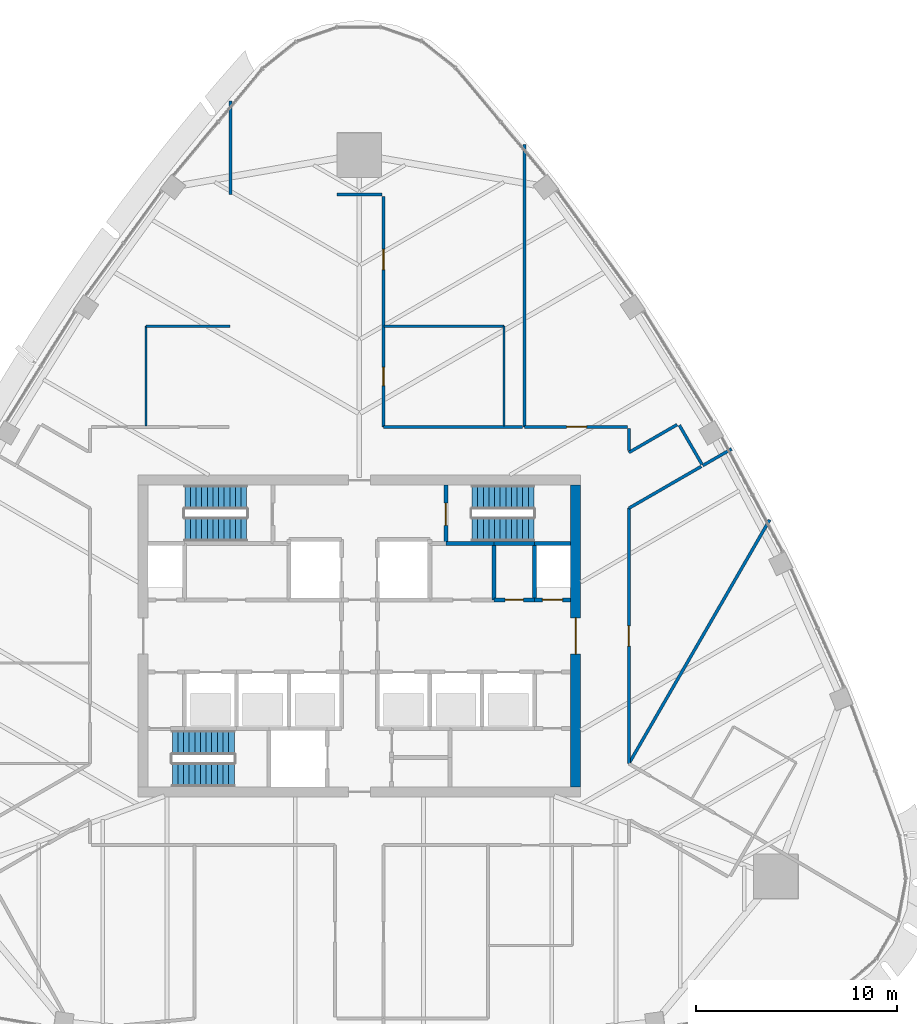
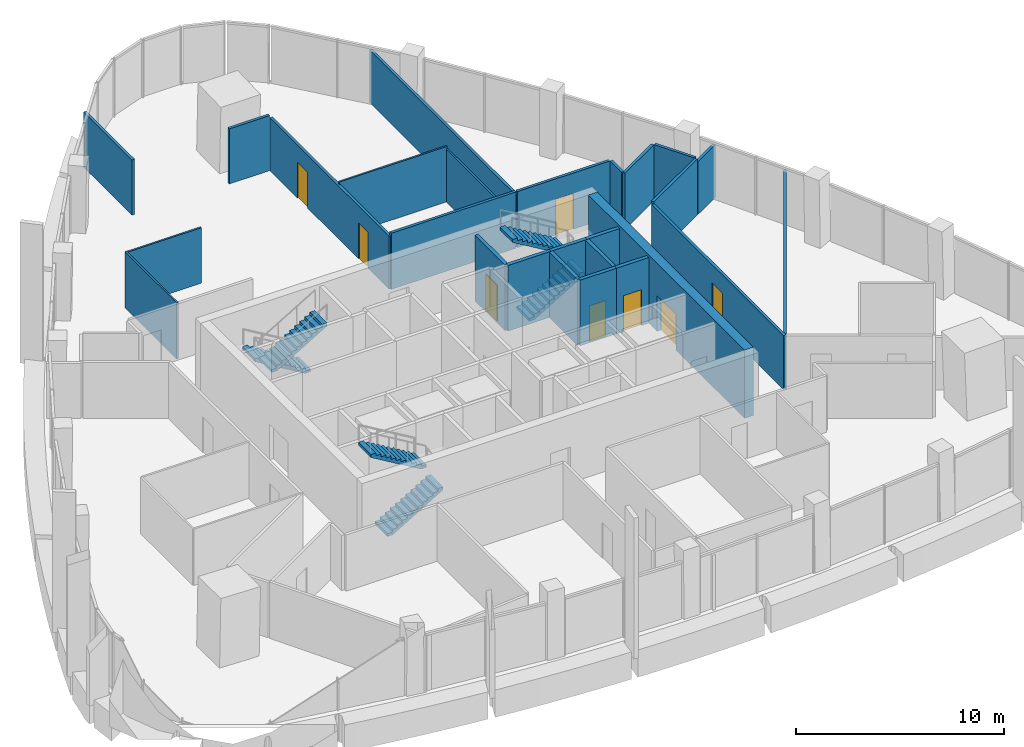
# One storey, part 11 of 18: 26 walls, 8 doors, 6 stair flights, 8 openings, 3 elements without a shape of their own.
"""IFC4 building model written with IfcOpenShell, lengths in metres."""

import ifcopenshell
import ifcopenshell.guid

model = None  # the IFC model being written
_history = None  # IfcOwnerHistory: only IFC2X3 demands one
_inside = {}  # id of a spatial element -> (the spatial element, [elements in it])
_under = {}  # id of a project, library or spatial element -> (it, [spatial elements below it])
_declared = {}  # id of a project -> (the project, [libraries it declares])
_typed = {}  # id of a type object -> (the type object, [elements of that type])
_made_of = {}  # id of a material, layer set ... -> (it, [elements and type objects made of it])


def new_model(schema):
    """Start an empty IFC model of exactly this schema.

    Asked for "IFC4X3", IfcOpenShell would pick the latest addendum, in which some entities
    have other attributes; the version numbers below select the first issue.
    IFC2X3 requires an IfcOwnerHistory on every rooted entity: one is made here for all.
    """
    global model, _history
    if schema == "IFC4X3":
        model = ifcopenshell.file(schema_version=(4, 3, 0, 0))
    else:
        model = ifcopenshell.file(schema=schema)
    _inside.clear()
    _under.clear()
    _declared.clear()
    _typed.clear()
    _made_of.clear()
    _history = None
    if model.schema == "IFC2X3":
        org = make("IfcOrganization", Name="unknown")
        user = make(
            "IfcPersonAndOrganization",
            ThePerson=make("IfcPerson", FamilyName="unknown"),
            TheOrganization=org,
        )
        app = make(
            "IfcApplication",
            ApplicationDeveloper=org,
            Version="unknown",
            ApplicationFullName="unknown",
            ApplicationIdentifier="unknown",
        )
        _history = make(
            "IfcOwnerHistory",
            OwningUser=user,
            OwningApplication=app,
            ChangeAction="ADDED",
            CreationDate=0,
        )
    return model


def make(cls, **values):
    """One entity of the class cls with the attributes given. An attribute that is None is left unset."""
    return model.create_entity(
        cls, **{name: value for name, value in values.items() if value is not None}
    )


def rooted(cls, **values):
    """An entity with a GlobalId (a new one), such as an element, a storey or a relation."""
    return make(cls, GlobalId=ifcopenshell.guid.new(), OwnerHistory=_history, **values)


def si_unit(unit_type, name, prefix=None):
    """IfcSIUnit, for example si_unit("LENGTHUNIT", "METRE", prefix="MILLI")."""
    return make("IfcSIUnit", UnitType=unit_type, Prefix=prefix, Name=name)


def assignment(units):
    """IfcUnitAssignment: the units of a project."""
    return None if units is None else make("IfcUnitAssignment", Units=units)


def point(xyz):
    """IfcCartesianPoint."""
    return None if xyz is None else make("IfcCartesianPoint", Coordinates=xyz)


def direction(xyz):
    """IfcDirection."""
    return None if xyz is None else make("IfcDirection", DirectionRatios=xyz)


def frame(location, z_axis=None, x_axis=None):
    """IfcAxis2Placement3D, a coordinate frame: its origin and axes. An axis left out is left unset."""
    return make(
        "IfcAxis2Placement3D",
        Location=point(location),
        Axis=direction(z_axis),
        RefDirection=direction(x_axis),
    )


def frame_2d(location, x_axis=None):
    """IfcAxis2Placement2D, a coordinate frame in the plane: its origin and x axis."""
    return make(
        "IfcAxis2Placement2D", Location=point(location), RefDirection=direction(x_axis)
    )


def origin():
    """The frame at (0, 0, 0) with its axes left unset."""
    return frame((0.0, 0.0, 0.0))


def place(relative_to, where):
    """IfcLocalPlacement: puts the frame where relative to a parent placement (None: the world)."""
    return make(
        "IfcLocalPlacement", PlacementRelTo=relative_to, RelativePlacement=where
    )


def context(
    kind, dimensions, precision=None, world=None, true_north=None, identifier=None
):
    """IfcGeometricRepresentationContext, for example the 3D "Model" context."""
    return make(
        "IfcGeometricRepresentationContext",
        ContextIdentifier=identifier,
        ContextType=kind,
        CoordinateSpaceDimension=dimensions,
        Precision=precision,
        WorldCoordinateSystem=world,
        TrueNorth=true_north,
    )


def subcontext(parent, identifier, kind, view, scale=None):
    """IfcGeometricRepresentationSubContext, for example "Body" below "Model"."""
    return make(
        "IfcGeometricRepresentationSubContext",
        ContextIdentifier=identifier,
        ContextType=kind,
        ParentContext=parent,
        TargetScale=scale,
        TargetView=view,
    )


def project(units=None, contexts=None):
    """IfcProject with its units and contexts."""
    return rooted(
        "IfcProject",
        Name="project",
        RepresentationContexts=contexts,
        UnitsInContext=assignment(units),
    )


def spatial(cls, under=None, at=None, **own):
    """A site, building, storey or space (cls), placed at a placement, below another one or the project."""
    s = rooted(cls, ObjectPlacement=at, **own)
    if under is not None:
        _under.setdefault(under.id(), (under, []))[1].append(s)
    return s


def polyline(points):
    """IfcPolyline through the points."""
    return make("IfcPolyline", Points=[point(p) for p in points])


def profile(cls, at=None, kind="AREA", **sizes):
    """A parametric profile (cls). Its sizes go by their IFC names, for example OverallWidth=200.0."""
    return make(cls, ProfileType=kind, Position=at, **sizes)


def rectangle(**sizes):
    """IfcRectangleProfileDef."""
    return profile("IfcRectangleProfileDef", **sizes)


def outline(outer, holes=None, kind="AREA"):
    """IfcArbitraryClosedProfileDef: a profile drawn as a closed curve; with holes, ...WithVoids."""
    if holes is None:
        return make("IfcArbitraryClosedProfileDef", ProfileType=kind, OuterCurve=outer)
    return make(
        "IfcArbitraryProfileDefWithVoids",
        ProfileType=kind,
        OuterCurve=outer,
        InnerCurves=holes,
    )


def extrude(swept, where, along, depth):
    """IfcExtrudedAreaSolid: the profile swept, set in the frame where, extruded along a direction by depth."""
    return make(
        "IfcExtrudedAreaSolid",
        SweptArea=swept,
        Position=where,
        ExtrudedDirection=direction(along),
        Depth=depth,
    )


def shape(context_of_items, identifier, shape_type, items):
    """IfcShapeRepresentation: the items that make up one representation, for example the "Body"."""
    return make(
        "IfcShapeRepresentation",
        ContextOfItems=context_of_items,
        RepresentationIdentifier=identifier,
        RepresentationType=shape_type,
        Items=items,
    )


def material(Name=None, Category=None):
    """IfcMaterial."""
    return make("IfcMaterial", Name=Name, Category=Category)


def layer(
    of_material, thickness, ventilated=None, Name=None, Category=None, Priority=None
):
    """IfcMaterialLayer: one layer of a wall or slab, of a material (None: an air gap)."""
    return make(
        "IfcMaterialLayer",
        Material=of_material,
        LayerThickness=thickness,
        IsVentilated=ventilated,
        Name=Name,
        Category=Category,
        Priority=Priority,
    )


def layer_set(layers, Name=None):
    """IfcMaterialLayerSet."""
    return make("IfcMaterialLayerSet", MaterialLayers=layers, LayerSetName=Name)


def made_of(thing, what):
    """Note that an element or type object is made of a material, layer set ...; save() writes the relation."""
    if what is not None:
        _made_of.setdefault(what.id(), (what, []))[1].append(thing)
    return thing


def type_object(cls, material=None, **own):
    """A type object (cls), such as IfcWallType, which elements share."""
    return made_of(rooted(cls, **own), material)


def element(
    cls,
    number,
    at=None,
    inside=None,
    cuts=None,
    type_object=None,
    material=None,
    context=None,
    identifier="Body",
    shape_type=None,
    held_by="IfcProductDefinitionShape",
    body=None,
    shapes=None,
    **own,
):
    """One element of the class cls, such as IfcWall. Its Tag is "e" and its number.

    at: its placement. inside: the storey or other place that contains it. cuts: it is an
    opening in that element (IfcRelVoidsElement). A single representation is given by context,
    identifier, shape_type and body (its items); several are given by shapes. held_by: the class
    of the entity that holds the representations. save() writes the other relations.
    """
    e = rooted(cls, Tag="e%d" % number, ObjectPlacement=at, **own)
    if body is not None:
        shapes = [shape(context, identifier, shape_type, body)]
    if shapes is not None:
        e.Representation = make(held_by, Representations=shapes)
    if inside is not None:
        _inside.setdefault(inside.id(), (inside, []))[1].append(e)
    if cuts is not None:
        rooted(
            "IfcRelVoidsElement", RelatingBuildingElement=cuts, RelatedOpeningElement=e
        )
    if type_object is not None:
        _typed.setdefault(type_object.id(), (type_object, []))[1].append(e)
    return made_of(e, material)


def fill(opening, filler):
    """IfcRelFillsElement: the door or window that sits in an opening."""
    return rooted(
        "IfcRelFillsElement",
        RelatingOpeningElement=opening,
        RelatedBuildingElement=filler,
    )


def aggregate(whole, parts):
    """IfcRelAggregates: a whole, such as a stair, and the parts it consists of."""
    return rooted("IfcRelAggregates", RelatingObject=whole, RelatedObjects=parts)


def save(model, path):
    """Write the relations noted so far, then the file.

    IfcRelAggregates (storeys below a building ...), IfcRelContainedInSpatialStructure (elements
    in a storey), IfcRelDefinesByType, IfcRelAssociatesMaterial and IfcRelDeclares: one each for
    every whole, place, type object, material and project.
    """
    for whole, parts in _under.values():
        aggregate(whole, parts)
    for where, things in _inside.values():
        rooted(
            "IfcRelContainedInSpatialStructure",
            RelatedElements=things,
            RelatingStructure=where,
        )
    for kind, things in _typed.values():
        rooted("IfcRelDefinesByType", RelatedObjects=things, RelatingType=kind)
    for what, things in _made_of.values():
        rooted("IfcRelAssociatesMaterial", RelatedObjects=things, RelatingMaterial=what)
    for by, libraries in _declared.values():
        rooted("IfcRelDeclares", RelatingContext=by, RelatedDefinitions=libraries)
    model.write(path)


model = new_model("IFC4")

# Units and contexts
model_context = context("Model", 3, precision=1e-05, world=origin(), true_north=direction((0.0, 1.0)))
body_context = subcontext(model_context, "Body", "Model", "MODEL_VIEW")
ifc_project = project(units=[si_unit("LENGTHUNIT", "METRE"), si_unit("AREAUNIT", "SQUARE_METRE"), si_unit("VOLUMEUNIT", "CUBIC_METRE"), si_unit("PLANEANGLEUNIT", "RADIAN"), si_unit("MASSUNIT", "GRAM", prefix="KILO")], contexts=[model_context])

# Site, building, storey
site_placement = place(None, origin())
site = spatial("IfcSite", under=ifc_project, at=site_placement, CompositionType="ELEMENT")
building_placement = place(site_placement, origin())
building = spatial("IfcBuilding", under=site, at=building_placement, Name="Sierra Prisma Convention Tower", CompositionType="ELEMENT")
storey_placement = place(building_placement, frame((0.0, 0.0, 287.0)))
storey = spatial("IfcBuildingStorey", under=building, at=storey_placement, Name="L65", CompositionType="ELEMENT", Elevation=287.0)

# Walls
ifc_material_1 = material(Name="Gypsum board partition", Category="gypsum")
ifc_layer_1 = layer(ifc_material_1, 0.10009765625)
ifc_layer_set_1 = layer_set([ifc_layer_1], Name="Bathroom partition 100")
wall_type_1 = type_object("IfcWallType", Name="Bathroom partition 100", PredefinedType="PARTITIONING", material=ifc_layer_set_1)
wall_1_placement = place(storey_placement, frame((-10.60009765625, 10.429931640625, 0.0), z_axis=(0.0, 0.0, 1.0), x_axis=(0.0, 1.0, 0.0)))
element("IfcWall", 1, at=wall_1_placement, inside=storey, type_object=wall_type_1, Name="Partition L65 bath 4", PredefinedType="PARTITIONING", context=body_context, shape_type="SweptSolid", body=[
    extrude(rectangle(XDim=4.969970703125, YDim=0.10009765625, at=frame_2d((2.48486328125, 0.0))), origin(), (0.0, 0.0, 1.0), 3.300048828125),
])
wall_2_placement = place(storey_placement, frame((-10.60009765625, 15.39990234375, 0.0), z_axis=(0.0, 0.0, 1.0), x_axis=(1.0, 0.0, 0.0)))
element("IfcWall", 2, at=wall_2_placement, inside=storey, type_object=wall_type_1, Name="Partition L65 bath 5", PredefinedType="PARTITIONING", context=body_context, shape_type="SweptSolid", body=[
    extrude(rectangle(XDim=4.170166015625, YDim=0.10009765625, at=frame_2d((2.0849609375, 0.0))), origin(), (0.0, 0.0, 1.0), 3.2470703125),
])
wall_3_placement = place(storey_placement, frame((1.22998046875, 15.39990234375, 0.0), z_axis=(0.0, 0.0, 1.0), x_axis=(1.0, 0.0, 0.0)))
element("IfcWall", 3, at=wall_3_placement, inside=storey, type_object=wall_type_1, Name="Partition L65 bath 6", PredefinedType="PARTITIONING", context=body_context, shape_type="SweptSolid", body=[
    extrude(rectangle(XDim=5.969970703125, YDim=0.10009765625, at=frame_2d((2.98486328125, 0.0))), origin(), (0.0, 0.0, 1.0), 3.242919921875),
])
wall_4_placement = place(storey_placement, frame((7.199951171875, 15.39990234375, 0.0), z_axis=(0.0, 0.0, 1.0), x_axis=(0.0, -1.0, 0.0)))
element("IfcWall", 4, at=wall_4_placement, inside=storey, type_object=wall_type_1, Name="Partition L65 bath 7", PredefinedType="PARTITIONING", context=body_context, shape_type="SweptSolid", body=[
    extrude(rectangle(XDim=4.969970703125, YDim=0.10009765625, at=frame_2d((2.48486328125, 0.0))), origin(), (0.0, 0.0, 1.0), 3.096923828125),
])
ifc_material_2 = material(Name="Concrete C30/37", Category="concrete")
ifc_layer_2 = layer(ifc_material_2, 0.199951171875)
ifc_layer_set_2 = layer_set([ifc_layer_2], Name="Core wall RC 200 C30/37")
wall_type_2 = type_object("IfcWallType", Name="Core wall RC 200 C30/37", PredefinedType="SOLIDWALL", material=ifc_layer_set_2)
wall_5_placement = place(storey_placement, frame((6.699951171875, 4.60009765625, 0.0), z_axis=(0.0, 0.0, 1.0), x_axis=(-1.0, 0.0, 0.0)))
element("IfcWall", 5, at=wall_5_placement, inside=storey, type_object=wall_type_2, Name="Core wall L65 50", PredefinedType="SOLIDWALL", context=body_context, shape_type="SweptSolid", body=[
    extrude(rectangle(XDim=2.39990234375, YDim=0.199951171875, at=frame_2d((1.199951171875, 0.0))), origin(), (0.0, 0.0, 1.0), 3.85009765625),
])

# Wall, opening, door
wall_6_placement = place(storey_placement, frame((4.300048828125, 7.5, 0.0), z_axis=(0.0, 0.0, 1.0), x_axis=(0.0, -1.0, 0.0)))
wall_6 = element("IfcWall", 6, at=wall_6_placement, inside=storey, type_object=wall_type_2, Name="Core wall L65 51", PredefinedType="SOLIDWALL", context=body_context, shape_type="SweptSolid", body=[
    extrude(rectangle(XDim=2.89990234375, YDim=0.199951171875, at=frame_2d((1.449951171875, 0.0))), origin(), (0.0, 0.0, 1.0), 3.85009765625),
])
opening_1_placement = place(wall_6_placement, frame((0.89990234375, 0.0, 0.0)))
opening_1 = element("IfcOpeningElement", 7, at=opening_1_placement, cuts=wall_6, Name="Opening L65-D019", PredefinedType="OPENING", context=body_context, shape_type="SweptSolid", body=[
    extrude(rectangle(XDim=1.10009765625, YDim=2.10009765625, at=frame_2d((0.550048828125, 1.050048828125))), frame((0.0, 0.10009765625, 0.0), z_axis=(0.0, -1.0, 0.0), x_axis=(1.0, 0.0, 0.0)), (0.0, 0.0, 1.0), 0.199951171875),
])
ifc_material_3 = material(Name="Steel fire door leaf", Category="steel")
door_type_1 = type_object("IfcDoorType", Name="Door 1100x2100 FD90S", OperationType="SINGLE_SWING_LEFT", PredefinedType="DOOR", material=ifc_material_3)
door_1_placement = place(opening_1_placement, origin())
door_1 = element("IfcDoor", 8, at=door_1_placement, inside=storey, type_object=door_type_1, Name="Door L65 34", OperationType="SINGLE_SWING_RIGHT", OverallHeight=2.10009765625, OverallWidth=1.10009765625, PredefinedType="DOOR", context=body_context, shape_type="SweptSolid", body=[
    extrude(rectangle(XDim=1.10009765625, YDim=2.10009765625, at=frame_2d((0.550048828125, 1.050048828125))), frame((0.0, 0.02490234375, 0.0), z_axis=(0.0, -1.0, 0.0), x_axis=(1.0, 0.0, 0.0)), (0.0, 0.0, 1.0), 0.050048828125),
])
fill(opening_1, door_1)

wall_7_placement = place(storey_placement, frame((6.699951171875, 1.800048828125, 0.0), z_axis=(0.0, 0.0, 1.0), x_axis=(1.0, 0.0, 0.0)))
wall_7 = element("IfcWall", 9, at=wall_7_placement, inside=storey, type_object=wall_type_2, Name="Core wall L65 58", PredefinedType="SOLIDWALL", context=body_context, shape_type="SweptSolid", body=[
    extrude(rectangle(XDim=2.0, YDim=0.199951171875, at=frame_2d((1.0, 0.0))), origin(), (0.0, 0.0, 1.0), 3.85009765625),
])
opening_2_placement = place(wall_7_placement, frame((0.550048828125, 0.0, 0.0)))
opening_2 = element("IfcOpeningElement", 10, at=opening_2_placement, cuts=wall_7, Name="Opening L65-D021", PredefinedType="OPENING", context=body_context, shape_type="SweptSolid", body=[
    extrude(rectangle(XDim=0.89990234375, YDim=2.10009765625, at=frame_2d((0.449951171875, 1.050048828125))), frame((0.0, 0.10009765625, 0.0), z_axis=(0.0, -1.0, 0.0), x_axis=(1.0, 0.0, 0.0)), (0.0, 0.0, 1.0), 0.199951171875),
])
ifc_material_4 = material(Name="Steel fire door leaf", Category="steel")
door_type_2 = type_object("IfcDoorType", Name="Door 900x2100 FD30S", OperationType="SINGLE_SWING_LEFT", PredefinedType="DOOR", material=ifc_material_4)
door_2_placement = place(opening_2_placement, origin())
door_2 = element("IfcDoor", 11, at=door_2_placement, inside=storey, type_object=door_type_2, Name="Door L65 36", OperationType="SINGLE_SWING_LEFT", OverallHeight=2.10009765625, OverallWidth=0.89990234375, PredefinedType="DOOR", context=body_context, shape_type="SweptSolid", body=[
    extrude(rectangle(XDim=0.89990234375, YDim=2.10009765625, at=frame_2d((0.449951171875, 1.050048828125))), frame((0.0, 0.02490234375, 0.0), z_axis=(0.0, -1.0, 0.0), x_axis=(1.0, 0.0, 0.0)), (0.0, 0.0, 1.0), 0.050048828125),
])
fill(opening_2, door_2)

# Walls
wall_8_placement = place(storey_placement, frame((6.699951171875, 1.800048828125, 0.0), z_axis=(0.0, 0.0, 1.0), x_axis=(0.0, 1.0, 0.0)))
element("IfcWall", 12, at=wall_8_placement, inside=storey, type_object=wall_type_2, Name="Core wall L65 59", PredefinedType="SOLIDWALL", context=body_context, shape_type="SweptSolid", body=[
    extrude(rectangle(XDim=2.800048828125, YDim=0.199951171875, at=frame_2d((1.39990234375, 0.0))), origin(), (0.0, 0.0, 1.0), 3.85009765625),
])
wall_9_placement = place(storey_placement, frame((8.699951171875, 4.60009765625, 0.0), z_axis=(0.0, 0.0, 1.0), x_axis=(-1.0, 0.0, 0.0)))
element("IfcWall", 13, at=wall_9_placement, inside=storey, type_object=wall_type_2, Name="Core wall L65 60", PredefinedType="SOLIDWALL", context=body_context, shape_type="SweptSolid", body=[
    extrude(rectangle(XDim=2.0, YDim=0.199951171875, at=frame_2d((1.0, 0.0))), origin(), (0.0, 0.0, 1.0), 3.85009765625),
])

# Wall, opening, door
wall_10_placement = place(storey_placement, frame((10.5, 1.800048828125, 0.0), z_axis=(0.0, 0.0, 1.0), x_axis=(-1.0, 0.0, 0.0)))
wall_10 = element("IfcWall", 14, at=wall_10_placement, inside=storey, type_object=wall_type_2, Name="Core wall L65 64", PredefinedType="SOLIDWALL", context=body_context, shape_type="SweptSolid", body=[
    extrude(rectangle(XDim=1.800048828125, YDim=0.199951171875, at=frame_2d((0.89990234375, 0.0))), origin(), (0.0, 0.0, 1.0), 3.85009765625),
])
opening_3_placement = place(wall_10_placement, frame((0.39990234375, 0.0, 0.0)))
opening_3 = element("IfcOpeningElement", 15, at=opening_3_placement, cuts=wall_10, Name="Opening L65-D016", PredefinedType="OPENING", context=body_context, shape_type="SweptSolid", body=[
    extrude(rectangle(XDim=1.0, YDim=2.10009765625, at=frame_2d((0.5, 1.050048828125))), frame((0.0, 0.10009765625, 0.0), z_axis=(0.0, -1.0, 0.0), x_axis=(1.0, 0.0, 0.0)), (0.0, 0.0, 1.0), 0.199951171875),
])
ifc_material_5 = material(Name="Steel fire door leaf", Category="steel")
door_type_3 = type_object("IfcDoorType", Name="Door 1000x2100 FD60S", OperationType="SINGLE_SWING_LEFT", PredefinedType="DOOR", material=ifc_material_5)
door_3_placement = place(opening_3_placement, origin())
door_3 = element("IfcDoor", 16, at=door_3_placement, inside=storey, type_object=door_type_3, Name="Door L65 31", OperationType="SINGLE_SWING_RIGHT", OverallHeight=2.10009765625, OverallWidth=1.0, PredefinedType="DOOR", context=body_context, shape_type="SweptSolid", body=[
    extrude(rectangle(XDim=1.0, YDim=2.10009765625, at=frame_2d((0.5, 1.050048828125))), frame((0.0, 0.02490234375, 0.0), z_axis=(0.0, -1.0, 0.0), x_axis=(1.0, 0.0, 0.0)), (0.0, 0.0, 1.0), 0.050048828125),
])
fill(opening_3, door_3)

# Walls
wall_11_placement = place(storey_placement, frame((8.699951171875, 1.800048828125, 0.0), z_axis=(0.0, 0.0, 1.0), x_axis=(0.0, 1.0, 0.0)))
element("IfcWall", 17, at=wall_11_placement, inside=storey, type_object=wall_type_2, Name="Core wall L65 65", PredefinedType="SOLIDWALL", context=body_context, shape_type="SweptSolid", body=[
    extrude(rectangle(XDim=2.800048828125, YDim=0.199951171875, at=frame_2d((1.39990234375, 0.0))), origin(), (0.0, 0.0, 1.0), 3.85009765625),
])
wall_12_placement = place(storey_placement, frame((10.5, 4.60009765625, 0.0), z_axis=(0.0, 0.0, 1.0), x_axis=(-1.0, 0.0, 0.0)))
element("IfcWall", 18, at=wall_12_placement, inside=storey, type_object=wall_type_2, Name="Core wall L65 66", PredefinedType="SOLIDWALL", context=body_context, shape_type="SweptSolid", body=[
    extrude(rectangle(XDim=1.800048828125, YDim=0.199951171875, at=frame_2d((0.89990234375, 0.0))), origin(), (0.0, 0.0, 1.0), 3.85009765625),
])

# Wall, opening, door
ifc_material_6 = material(Name="Concrete C50/60", Category="concrete")
ifc_layer_3 = layer(ifc_material_6, 0.5)
ifc_layer_set_3 = layer_set([ifc_layer_3], Name="Core wall RC 500 C50/60")
wall_type_3 = type_object("IfcWallType", Name="Core wall RC 500 C50/60", PredefinedType="SHEAR", material=ifc_layer_set_3)
wall_13_placement = place(storey_placement, frame((10.75, -7.5, 0.0), z_axis=(0.0, 0.0, 1.0), x_axis=(0.0, 1.0, 0.0)))
wall_13 = element("IfcWall", 19, at=wall_13_placement, inside=storey, type_object=wall_type_3, Name="Core wall E L65", PredefinedType="SHEAR", context=body_context, shape_type="SweptSolid", body=[
    extrude(rectangle(XDim=15.0, YDim=0.5, at=frame_2d((7.5, 0.0))), origin(), (0.0, 0.0, 1.0), 4.0),
])
opening_4_placement = place(wall_13_placement, frame((6.60009765625, 0.0, 0.0)))
opening_4 = element("IfcOpeningElement", 20, at=opening_4_placement, cuts=wall_13, Name="Opening L65-D042", PredefinedType="OPENING", context=body_context, shape_type="SweptSolid", body=[
    extrude(rectangle(XDim=1.800048828125, YDim=2.10009765625, at=frame_2d((0.89990234375, 1.050048828125))), frame((0.0, 0.25, 0.0), z_axis=(0.0, -1.0, 0.0), x_axis=(1.0, 0.0, 0.0)), (0.0, 0.0, 1.0), 0.5),
])
ifc_material_7 = material(Name="Steel fire door leaf", Category="steel")
door_type_4 = type_object("IfcDoorType", Name="Door 1800x2100 FD60S", OperationType="DOUBLE_DOOR_SINGLE_SWING", PredefinedType="DOOR", material=ifc_material_7)
door_4_placement = place(opening_4_placement, origin())
door_4 = element("IfcDoor", 21, at=door_4_placement, inside=storey, type_object=door_type_4, Name="Door L65 43", OperationType="DOUBLE_DOOR_SINGLE_SWING", OverallHeight=2.10009765625, OverallWidth=1.800048828125, PredefinedType="DOOR", context=body_context, shape_type="SweptSolid", body=[
    extrude(rectangle(XDim=1.800048828125, YDim=2.10009765625, at=frame_2d((0.89990234375, 1.050048828125))), frame((0.0, 0.02490234375, 0.0), z_axis=(0.0, -1.0, 0.0), x_axis=(1.0, 0.0, 0.0)), (0.0, 0.0, 1.0), 0.050048828125),
])
fill(opening_4, door_4)

# Walls
ifc_material_8 = material(Name="Gypsum board partition", Category="gypsum")
ifc_layer_4 = layer(ifc_material_8, 0.14990234375)
ifc_layer_set_4 = layer_set([ifc_layer_4], Name="Corridor wall 150 gypsum EI 60")
wall_type_4 = type_object("IfcWallType", Name="Corridor wall 150 gypsum EI 60", PredefinedType="PARTITIONING", material=ifc_layer_set_4)
wall_14_placement = place(storey_placement, frame((1.1201171875, 21.940673828125, 0.0), z_axis=(0.0, 0.0, 1.0), x_axis=(-1.0, 0.0, 0.0)))
element("IfcWall", 22, at=wall_14_placement, inside=storey, type_object=wall_type_4, Name="Partition L65 corr 14", PredefinedType="PARTITIONING", context=body_context, shape_type="SweptSolid", body=[
    extrude(rectangle(XDim=2.240234375, YDim=0.14990234375, at=frame_2d((1.1201171875, 0.0))), origin(), (0.0, 0.0, 1.0), 3.23291015625),
])
wall_15_placement = place(storey_placement, frame((8.1201171875, 10.39990234375, 0.0), z_axis=(0.0, 0.0, 1.0), x_axis=(-1.0, 0.0, 0.0)))
element("IfcWall", 23, at=wall_15_placement, inside=storey, type_object=wall_type_4, Name="Partition L65 corr 17", PredefinedType="PARTITIONING", context=body_context, shape_type="SweptSolid", body=[
    extrude(rectangle(XDim=6.920166015625, YDim=0.14990234375, at=frame_2d((3.4599609375, 0.0))), origin(), (0.0, 0.0, 1.0), 3.300048828125),
])

# Wall, openings, doors
wall_16_placement = place(storey_placement, frame((1.199951171875, 10.39990234375, 0.0), z_axis=(0.0, 0.0, 1.0), x_axis=(0.0, 1.0, 0.0)))
wall_16 = element("IfcWall", 24, at=wall_16_placement, inside=storey, type_object=wall_type_4, Name="Partition L65 corr 18", PredefinedType="PARTITIONING", context=body_context, shape_type="SweptSolid", body=[
    extrude(rectangle(XDim=11.460693359375, YDim=0.14990234375, at=frame_2d((5.73046875, 0.0))), origin(), (0.0, 0.0, 1.0), 3.096923828125),
])
opening_5_placement = place(wall_16_placement, frame((2.050048828125, 0.0, 0.0)))
opening_5 = element("IfcOpeningElement", 25, at=opening_5_placement, cuts=wall_16, Name="Opening L65-D029", PredefinedType="OPENING", context=body_context, shape_type="SweptSolid", body=[
    extrude(rectangle(XDim=0.89990234375, YDim=2.10009765625, at=frame_2d((0.449951171875, 1.050048828125))), frame((0.0, 0.074951171875, 0.0), z_axis=(0.0, -1.0, 0.0), x_axis=(1.0, 0.0, 0.0)), (0.0, 0.0, 1.0), 0.14990234375),
])
opening_6_placement = place(wall_16_placement, frame((7.8203125, 0.0, 0.0)))
opening_6 = element("IfcOpeningElement", 26, at=opening_6_placement, cuts=wall_16, Name="Opening L65-D030", PredefinedType="OPENING", context=body_context, shape_type="SweptSolid", body=[
    extrude(rectangle(XDim=1.0, YDim=2.10009765625, at=frame_2d((0.5, 1.050048828125))), frame((0.0, 0.074951171875, 0.0), z_axis=(0.0, -1.0, 0.0), x_axis=(1.0, 0.0, 0.0)), (0.0, 0.0, 1.0), 0.14990234375),
])
ifc_material_9 = material(Name="Steel fire door leaf", Category="steel")
door_type_5 = type_object("IfcDoorType", Name="Door 1000x2100 FD30S", OperationType="SINGLE_SWING_LEFT", PredefinedType="DOOR", material=ifc_material_9)
door_5_placement = place(opening_6_placement, origin())
door_5 = element("IfcDoor", 27, at=door_5_placement, inside=storey, type_object=door_type_5, Name="Door L65 4", OperationType="SINGLE_SWING_RIGHT", OverallHeight=2.10009765625, OverallWidth=1.0, PredefinedType="DOOR", context=body_context, shape_type="SweptSolid", body=[
    extrude(rectangle(XDim=1.0, YDim=2.10009765625, at=frame_2d((0.5, 1.050048828125))), frame((0.0, 0.02490234375, 0.0), z_axis=(0.0, -1.0, 0.0), x_axis=(1.0, 0.0, 0.0)), (0.0, 0.0, 1.0), 0.050048828125),
])
fill(opening_6, door_5)
door_6_placement = place(opening_5_placement, origin())
door_6 = element("IfcDoor", 28, at=door_6_placement, inside=storey, type_object=door_type_2, Name="Door L65 3", OperationType="SINGLE_SWING_LEFT", OverallHeight=2.10009765625, OverallWidth=0.89990234375, PredefinedType="DOOR", context=body_context, shape_type="SweptSolid", body=[
    extrude(rectangle(XDim=0.89990234375, YDim=2.10009765625, at=frame_2d((0.449951171875, 1.050048828125))), frame((0.0, 0.02490234375, 0.0), z_axis=(0.0, -1.0, 0.0), x_axis=(1.0, 0.0, 0.0)), (0.0, 0.0, 1.0), 0.050048828125),
])
fill(opening_5, door_6)

# Wall, opening, door
wall_17_placement = place(storey_placement, frame((13.320068359375, 10.39990234375, 0.0), z_axis=(0.0, 0.0, 1.0), x_axis=(-1.0, 0.0, 0.0)))
wall_17 = element("IfcWall", 29, at=wall_17_placement, inside=storey, type_object=wall_type_4, Name="Partition L65 corr 19", PredefinedType="PARTITIONING", context=body_context, shape_type="SweptSolid", body=[
    extrude(rectangle(XDim=5.1201171875, YDim=0.14990234375, at=frame_2d((2.56005859375, 0.0))), origin(), (0.0, 0.0, 1.0), 3.29296875),
])
opening_7_placement = place(wall_17_placement, frame((2.02001953125, 0.0, 0.0)))
opening_7 = element("IfcOpeningElement", 30, at=opening_7_placement, cuts=wall_17, Name="Opening L65-D028", PredefinedType="OPENING", context=body_context, shape_type="SweptSolid", body=[
    extrude(rectangle(XDim=1.0, YDim=2.10009765625, at=frame_2d((0.5, 1.050048828125))), frame((0.0, 0.074951171875, 0.0), z_axis=(0.0, -1.0, 0.0), x_axis=(1.0, 0.0, 0.0)), (0.0, 0.0, 1.0), 0.14990234375),
])
door_7_placement = place(opening_7_placement, origin())
door_7 = element("IfcDoor", 31, at=door_7_placement, inside=storey, type_object=door_type_5, Name="Door L65 2", OperationType="SINGLE_SWING_LEFT", OverallHeight=2.10009765625, OverallWidth=1.0, PredefinedType="DOOR", context=body_context, shape_type="SweptSolid", body=[
    extrude(rectangle(XDim=1.0, YDim=2.10009765625, at=frame_2d((0.5, 1.050048828125))), frame((0.0, 0.02490234375, 0.0), z_axis=(0.0, -1.0, 0.0), x_axis=(1.0, 0.0, 0.0)), (0.0, 0.0, 1.0), 0.050048828125),
])
fill(opening_7, door_7)

wall_18_placement = place(storey_placement, frame((13.39990234375, -6.350830078125, 0.0), z_axis=(0.0, 0.0, 1.0), x_axis=(0.0, 1.0, 0.0)))
wall_18 = element("IfcWall", 32, at=wall_18_placement, inside=storey, type_object=wall_type_4, Name="Partition L65 corr 22", PredefinedType="PARTITIONING", context=body_context, shape_type="SweptSolid", body=[
    extrude(rectangle(XDim=12.70166015625, YDim=0.14990234375, at=frame_2d((6.350830078125, 0.0))), origin(), (0.0, 0.0, 1.0), 3.1669921875),
])
opening_8_placement = place(wall_18_placement, frame((5.850830078125, 0.0, 0.0)))
opening_8 = element("IfcOpeningElement", 33, at=opening_8_placement, cuts=wall_18, Name="Opening L65-D027", PredefinedType="OPENING", context=body_context, shape_type="SweptSolid", body=[
    extrude(rectangle(XDim=1.0, YDim=2.10009765625, at=frame_2d((0.5, 1.050048828125))), frame((0.0, 0.074951171875, 0.0), z_axis=(0.0, -1.0, 0.0), x_axis=(1.0, 0.0, 0.0)), (0.0, 0.0, 1.0), 0.14990234375),
])
door_8_placement = place(opening_8_placement, origin())
door_8 = element("IfcDoor", 34, at=door_8_placement, inside=storey, type_object=door_type_5, Name="Door L65 1", OperationType="SINGLE_SWING_RIGHT", OverallHeight=2.10009765625, OverallWidth=1.0, PredefinedType="DOOR", context=body_context, shape_type="SweptSolid", body=[
    extrude(rectangle(XDim=1.0, YDim=2.10009765625, at=frame_2d((0.5, 1.050048828125))), frame((0.0, 0.02490234375, 0.0), z_axis=(0.0, -1.0, 0.0), x_axis=(1.0, 0.0, 0.0)), (0.0, 0.0, 1.0), 0.050048828125),
])
fill(opening_8, door_8)

# Walls
wall_19_placement = place(storey_placement, frame((13.39990234375, 6.350830078125, 0.0), z_axis=(0.0, 0.0, 1.0), x_axis=(0.866037957609, 0.499978255508, 0.0)))
element("IfcWall", 35, at=wall_19_placement, inside=storey, type_object=wall_type_4, Name="Partition L65 corr 23", PredefinedType="PARTITIONING", context=body_context, shape_type="SweptSolid", body=[
    extrude(rectangle(XDim=4.158447265625, YDim=0.14990234375, at=frame_2d((2.0791015625, 0.0))), origin(), (0.0, 0.0, 1.0), 3.300048828125),
])
wall_20_placement = place(storey_placement, frame((15.80126953125, 10.508544921875, 0.0), z_axis=(0.0, 0.0, 1.0), x_axis=(-0.86601843628, -0.500012067877, 0.0)))
element("IfcWall", 36, at=wall_20_placement, inside=storey, type_object=wall_type_4, Name="Partition L65 corr 25", PredefinedType="PARTITIONING", context=body_context, shape_type="SweptSolid", body=[
    extrude(rectangle(XDim=2.77294921875, YDim=0.14990234375, at=frame_2d((1.386474609375, 0.0))), origin(), (0.0, 0.0, 1.0), 3.300048828125),
])
wall_21_placement = place(storey_placement, frame((13.39990234375, 9.213623046875, 0.0), z_axis=(0.0, 0.0, 1.0), x_axis=(0.0, 1.0, 0.0)))
element("IfcWall", 37, at=wall_21_placement, inside=storey, type_object=wall_type_4, Name="Partition L65 corr 26", PredefinedType="PARTITIONING", context=body_context, shape_type="SweptSolid", body=[
    extrude(rectangle(XDim=1.1064453125, YDim=0.14990234375, at=frame_2d((0.55322265625, 0.0))), origin(), (0.0, 0.0, 1.0), 3.300048828125),
])
wall_22_placement = place(storey_placement, frame((17.030517578125, 8.539306640625, 0.0), z_axis=(0.0, 0.0, 1.0), x_axis=(-0.500030632641, 0.866007717299, 0.0)))
element("IfcWall", 38, at=wall_22_placement, inside=storey, type_object=wall_type_4, Name="Partition L65 corr 27", PredefinedType="PARTITIONING", context=body_context, shape_type="SweptSolid", body=[
    extrude(rectangle(XDim=2.239990234375, YDim=0.14990234375, at=frame_2d((1.1201171875, 0.0))), origin(), (0.0, 0.0, 1.0), 3.300048828125),
])
ifc_material_10 = material(Name="Gypsum board partition", Category="gypsum")
ifc_layer_5 = layer(ifc_material_10, 0.14990234375)
ifc_layer_set_5 = layer_set([ifc_layer_5], Name="Party wall 150 gypsum")
wall_type_5 = type_object("IfcWallType", Name="Party wall 150 gypsum", PredefinedType="PARTITIONING", material=ifc_layer_set_5)
wall_23_placement = place(storey_placement, frame((-6.39990234375, 21.940673828125, 0.0), z_axis=(0.0, 0.0, 1.0), x_axis=(0.0, 1.0, 0.0)))
element("IfcWall", 39, at=wall_23_placement, inside=storey, type_object=wall_type_5, Name="Partition L65 party 6", PredefinedType="PARTITIONING", context=body_context, shape_type="SweptSolid", body=[
    extrude(rectangle(XDim=4.6533203125, YDim=0.14990234375, at=frame_2d((2.32666015625, 0.0))), origin(), (0.0, 0.0, 1.0), 3.23388671875),
])
wall_24_placement = place(storey_placement, frame((8.199951171875, 10.39990234375, 0.0), z_axis=(0.0, 0.0, 1.0), x_axis=(0.0, 1.0, 0.0)))
element("IfcWall", 40, at=wall_24_placement, inside=storey, type_object=wall_type_5, Name="Partition L65 party 10", PredefinedType="PARTITIONING", context=body_context, shape_type="SweptSolid", body=[
    extrude(rectangle(XDim=14.0361328125, YDim=0.14990234375, at=frame_2d((7.01806640625, 0.0))), origin(), (0.0, 0.0, 1.0), 3.083984375),
])
wall_25_placement = place(storey_placement, frame((20.400634765625, 5.7744140625, 0.0), z_axis=(0.0, 0.0, 1.0), x_axis=(-0.500011755427, -0.866018616679, 0.0)))
element("IfcWall", 41, at=wall_25_placement, inside=storey, type_object=wall_type_5, Name="Partition L65 party 11", PredefinedType="PARTITIONING", context=body_context, shape_type="SweptSolid", body=[
    extrude(rectangle(XDim=14.001220703125, YDim=0.14990234375, at=frame_2d((7.00048828125, 0.0))), origin(), (0.0, 0.0, 1.0), 3.083984375),
])
wall_26_placement = place(storey_placement, frame((17.070556640625, 8.469970703125, 0.0), z_axis=(0.0, 0.0, 1.0), x_axis=(0.866011236992, 0.500024536802, 0.0)))
element("IfcWall", 42, at=wall_26_placement, inside=storey, type_object=wall_type_5, Name="Partition L65 party 12", PredefinedType="PARTITIONING", context=body_context, shape_type="SweptSolid", body=[
    extrude(rectangle(XDim=1.65576171875, YDim=0.14990234375, at=frame_2d((0.827880859375, 0.0))), origin(), (0.0, 0.0, 1.0), 3.083984375),
])

# Stair, stair flights
ifc_material_11 = material(Name="Concrete C30/37", Category="concrete")
stair_type = type_object("IfcStairType", Name="Stair dog-leg 1200 RC", PredefinedType="HALF_TURN_STAIR", material=ifc_material_11)
stair_1_placement = place(storey_placement, origin())
stair_1 = element("IfcStair", 43, at=stair_1_placement, inside=storey, type_object=stair_type, Name="L65 S1", PredefinedType="HALF_TURN_STAIR")
ifc_material_12 = material(Name="Concrete C30/37", Category="concrete")
stair_flight_type = type_object("IfcStairFlightType", Name="Stair flight RC 1200", PredefinedType="STRAIGHT", material=ifc_material_12)
stair_flight_1_placement = place(storey_placement, frame((-9.300048828125, -6.89990234375, 0.0), z_axis=(0.0, 0.0, 1.0), x_axis=(1.0, 0.0, 0.0)))
stair_flight_1 = element("IfcStairFlight", 44, at=stair_flight_1_placement, type_object=stair_flight_type, Name="S1 flight 1", NumberOfRisers=12, NumberOfTreads=11, PredefinedType="STRAIGHT", RiserHeight=0.166666667, TreadLength=0.28, context=body_context, shape_type="SweptSolid", body=[
    extrude(outline(polyline([(0.0, 0.0), (0.0, 0.166748046875), (0.280029296875, 0.166748046875), (0.280029296875, 0.333251953125), (0.56005859375, 0.333251953125), (0.56005859375, 0.5), (0.840087890625, 0.5), (0.840087890625, 0.666748046875), (1.1201171875, 0.666748046875), (1.1201171875, 0.833251953125), (1.39990234375, 0.833251953125), (1.39990234375, 1.0), (1.679931640625, 1.0), (1.679931640625, 1.166748046875), (1.9599609375, 1.166748046875), (1.9599609375, 1.333251953125), (2.239990234375, 1.333251953125), (2.239990234375, 1.5), (2.52001953125, 1.5), (2.52001953125, 1.666748046875), (2.800048828125, 1.666748046875), (2.800048828125, 1.833251953125), (3.080078125, 1.833251953125), (3.080078125, 2.0), (3.080078125, 1.658935546875), (0.29296875, 0.0), (0.0, 0.0)])), frame((0.0, 0.60009765625, 0.0), z_axis=(0.0, -1.0, 0.0), x_axis=(1.0, 0.0, 0.0)), (0.0, 0.0, 1.0), 1.199951171875),
])
stair_flight_2_placement = place(storey_placement, frame((-6.219970703125, -5.300048828125, 2.0), z_axis=(0.0, 0.0, 1.0), x_axis=(-1.0, 0.0, 0.0)))
stair_flight_2 = element("IfcStairFlight", 45, at=stair_flight_2_placement, type_object=stair_flight_type, Name="S1 flight 2", NumberOfRisers=12, NumberOfTreads=11, PredefinedType="STRAIGHT", RiserHeight=0.166666667, TreadLength=0.28, context=body_context, shape_type="SweptSolid", body=[
    extrude(outline(polyline([(0.0, 0.0), (0.0, 0.166748046875), (0.280029296875, 0.166748046875), (0.280029296875, 0.333251953125), (0.56005859375, 0.333251953125), (0.56005859375, 0.5), (0.840087890625, 0.5), (0.840087890625, 0.666748046875), (1.1201171875, 0.666748046875), (1.1201171875, 0.833251953125), (1.39990234375, 0.833251953125), (1.39990234375, 1.0), (1.679931640625, 1.0), (1.679931640625, 1.166748046875), (1.9599609375, 1.166748046875), (1.9599609375, 1.333251953125), (2.239990234375, 1.333251953125), (2.239990234375, 1.5), (2.52001953125, 1.5), (2.52001953125, 1.666748046875), (2.800048828125, 1.666748046875), (2.800048828125, 1.833251953125), (3.080078125, 1.833251953125), (3.080078125, 2.0), (3.080078125, 1.658935546875), (0.29296875, 0.0), (0.0, 0.0)])), frame((0.0, 0.60009765625, 0.0), z_axis=(0.0, -1.0, 0.0), x_axis=(1.0, 0.0, 0.0)), (0.0, 0.0, 1.0), 1.199951171875),
])
aggregate(stair_1, [stair_flight_1, stair_flight_2])

stair_2_placement = place(storey_placement, origin())
stair_2 = element("IfcStair", 46, at=stair_2_placement, inside=storey, type_object=stair_type, Name="L65 S3", PredefinedType="HALF_TURN_STAIR")
stair_flight_3_placement = place(storey_placement, frame((-5.60009765625, 6.89990234375, 0.0), z_axis=(0.0, 0.0, 1.0), x_axis=(-1.0, 0.0, 0.0)))
stair_flight_3 = element("IfcStairFlight", 47, at=stair_flight_3_placement, type_object=stair_flight_type, Name="S3 flight 1", NumberOfRisers=12, NumberOfTreads=11, PredefinedType="STRAIGHT", RiserHeight=0.166666667, TreadLength=0.28, context=body_context, shape_type="SweptSolid", body=[
    extrude(outline(polyline([(0.0, 0.0), (0.0, 0.166748046875), (0.280029296875, 0.166748046875), (0.280029296875, 0.333251953125), (0.56005859375, 0.333251953125), (0.56005859375, 0.5), (0.840087890625, 0.5), (0.840087890625, 0.666748046875), (1.1201171875, 0.666748046875), (1.1201171875, 0.833251953125), (1.39990234375, 0.833251953125), (1.39990234375, 1.0), (1.679931640625, 1.0), (1.679931640625, 1.166748046875), (1.9599609375, 1.166748046875), (1.9599609375, 1.333251953125), (2.239990234375, 1.333251953125), (2.239990234375, 1.5), (2.52001953125, 1.5), (2.52001953125, 1.666748046875), (2.800048828125, 1.666748046875), (2.800048828125, 1.833251953125), (3.080078125, 1.833251953125), (3.080078125, 2.0), (3.080078125, 1.658935546875), (0.29296875, 0.0), (0.0, 0.0)])), frame((0.0, 0.60009765625, 0.0), z_axis=(0.0, -1.0, 0.0), x_axis=(1.0, 0.0, 0.0)), (0.0, 0.0, 1.0), 1.199951171875),
])
stair_flight_4_placement = place(storey_placement, frame((-8.679931640625, 5.300048828125, 2.0), z_axis=(0.0, 0.0, 1.0), x_axis=(1.0, 0.0, 0.0)))
stair_flight_4 = element("IfcStairFlight", 48, at=stair_flight_4_placement, type_object=stair_flight_type, Name="S3 flight 2", NumberOfRisers=12, NumberOfTreads=11, PredefinedType="STRAIGHT", RiserHeight=0.166666667, TreadLength=0.28, context=body_context, shape_type="SweptSolid", body=[
    extrude(outline(polyline([(0.0, 0.0), (0.0, 0.166748046875), (0.280029296875, 0.166748046875), (0.280029296875, 0.333251953125), (0.56005859375, 0.333251953125), (0.56005859375, 0.5), (0.840087890625, 0.5), (0.840087890625, 0.666748046875), (1.1201171875, 0.666748046875), (1.1201171875, 0.833251953125), (1.39990234375, 0.833251953125), (1.39990234375, 1.0), (1.679931640625, 1.0), (1.679931640625, 1.166748046875), (1.9599609375, 1.166748046875), (1.9599609375, 1.333251953125), (2.239990234375, 1.333251953125), (2.239990234375, 1.5), (2.52001953125, 1.5), (2.52001953125, 1.666748046875), (2.800048828125, 1.666748046875), (2.800048828125, 1.833251953125), (3.080078125, 1.833251953125), (3.080078125, 2.0), (3.080078125, 1.658935546875), (0.29296875, 0.0), (0.0, 0.0)])), frame((0.0, 0.60009765625, 0.0), z_axis=(0.0, -1.0, 0.0), x_axis=(1.0, 0.0, 0.0)), (0.0, 0.0, 1.0), 1.199951171875),
])
aggregate(stair_2, [stair_flight_3, stair_flight_4])

stair_3_placement = place(storey_placement, origin())
stair_3 = element("IfcStair", 49, at=stair_3_placement, inside=storey, type_object=stair_type, Name="L65 S4", PredefinedType="HALF_TURN_STAIR")
stair_flight_5_placement = place(storey_placement, frame((5.60009765625, 5.300048828125, 0.0), z_axis=(0.0, 0.0, 1.0), x_axis=(1.0, 0.0, 0.0)))
stair_flight_5 = element("IfcStairFlight", 50, at=stair_flight_5_placement, type_object=stair_flight_type, Name="S4 flight 1", NumberOfRisers=12, NumberOfTreads=11, PredefinedType="STRAIGHT", RiserHeight=0.166666667, TreadLength=0.28, context=body_context, shape_type="SweptSolid", body=[
    extrude(outline(polyline([(0.0, 0.0), (0.0, 0.166748046875), (0.280029296875, 0.166748046875), (0.280029296875, 0.333251953125), (0.56005859375, 0.333251953125), (0.56005859375, 0.5), (0.840087890625, 0.5), (0.840087890625, 0.666748046875), (1.1201171875, 0.666748046875), (1.1201171875, 0.833251953125), (1.39990234375, 0.833251953125), (1.39990234375, 1.0), (1.679931640625, 1.0), (1.679931640625, 1.166748046875), (1.9599609375, 1.166748046875), (1.9599609375, 1.333251953125), (2.239990234375, 1.333251953125), (2.239990234375, 1.5), (2.52001953125, 1.5), (2.52001953125, 1.666748046875), (2.800048828125, 1.666748046875), (2.800048828125, 1.833251953125), (3.080078125, 1.833251953125), (3.080078125, 2.0), (3.080078125, 1.658935546875), (0.29296875, 0.0), (0.0, 0.0)])), frame((0.0, 0.60009765625, 0.0), z_axis=(0.0, -1.0, 0.0), x_axis=(1.0, 0.0, 0.0)), (0.0, 0.0, 1.0), 1.199951171875),
])
stair_flight_6_placement = place(storey_placement, frame((8.679931640625, 6.89990234375, 2.0), z_axis=(0.0, 0.0, 1.0), x_axis=(-1.0, 0.0, 0.0)))
stair_flight_6 = element("IfcStairFlight", 51, at=stair_flight_6_placement, type_object=stair_flight_type, Name="S4 flight 2", NumberOfRisers=12, NumberOfTreads=11, PredefinedType="STRAIGHT", RiserHeight=0.166666667, TreadLength=0.28, context=body_context, shape_type="SweptSolid", body=[
    extrude(outline(polyline([(0.0, 0.0), (0.0, 0.166748046875), (0.280029296875, 0.166748046875), (0.280029296875, 0.333251953125), (0.56005859375, 0.333251953125), (0.56005859375, 0.5), (0.840087890625, 0.5), (0.840087890625, 0.666748046875), (1.1201171875, 0.666748046875), (1.1201171875, 0.833251953125), (1.39990234375, 0.833251953125), (1.39990234375, 1.0), (1.679931640625, 1.0), (1.679931640625, 1.166748046875), (1.9599609375, 1.166748046875), (1.9599609375, 1.333251953125), (2.239990234375, 1.333251953125), (2.239990234375, 1.5), (2.52001953125, 1.5), (2.52001953125, 1.666748046875), (2.800048828125, 1.666748046875), (2.800048828125, 1.833251953125), (3.080078125, 1.833251953125), (3.080078125, 2.0), (3.080078125, 1.658935546875), (0.29296875, 0.0), (0.0, 0.0)])), frame((0.0, 0.60009765625, 0.0), z_axis=(0.0, -1.0, 0.0), x_axis=(1.0, 0.0, 0.0)), (0.0, 0.0, 1.0), 1.199951171875),
])
aggregate(stair_3, [stair_flight_5, stair_flight_6])

save(model, "model.ifc")
